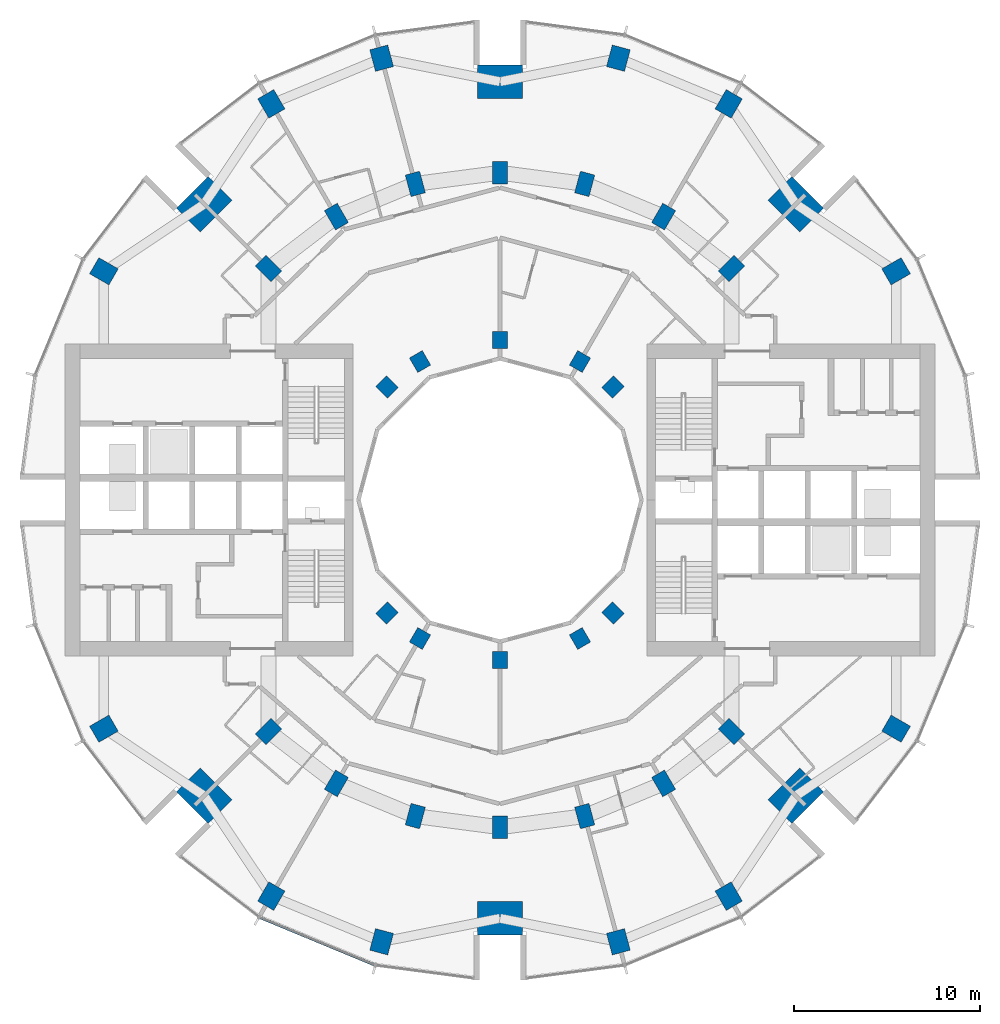
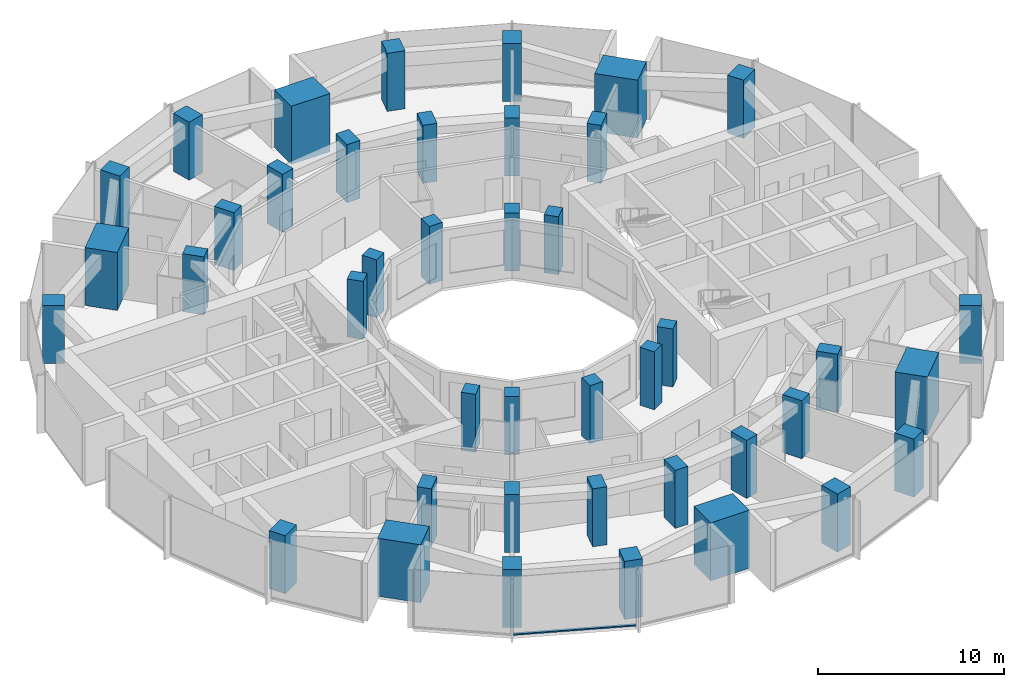
# One storey, part 1 of 15: 42 columns, 1 member, 1 element without a shape of its own.
"""IFC4 building model written with IfcOpenShell, lengths in metres."""

from ifc_helpers import new_model, si_unit, direction, frame, origin, origin_2d, place, context, subcontext, project, spatial, rectangle, extrude, material, layer, layer_set, material_profile, profile_set, type_object, element, aggregate, save


model = new_model("IFC4")

# Units and contexts
model_context = context("Model", 3, precision=1e-05, world=origin(), true_north=direction((0.0, 1.0)))
body_context = subcontext(model_context, "Body", "Model", "MODEL_VIEW")
ifc_project = project(units=[si_unit("LENGTHUNIT", "METRE"), si_unit("AREAUNIT", "SQUARE_METRE"), si_unit("VOLUMEUNIT", "CUBIC_METRE"), si_unit("PLANEANGLEUNIT", "RADIAN"), si_unit("MASSUNIT", "GRAM", prefix="KILO")], contexts=[model_context])

# Site, building, storey
site_placement = place(None, origin())
site = spatial("IfcSite", under=ifc_project, at=site_placement, CompositionType="ELEMENT")
building_placement = place(site_placement, origin())
building = spatial("IfcBuilding", under=site, at=building_placement, Name="Torre Brocal", CompositionType="ELEMENT")
storey_placement = place(building_placement, frame((0.0, 0.0, 93.800048828125)))
storey = spatial("IfcBuildingStorey", under=building, at=storey_placement, Name="L21", CompositionType="ELEMENT", Elevation=93.800048828125)

# Columns
ifc_material_1 = material(Name="Concrete C80", Category="concrete")
ifc_material_profile_1 = material_profile(ifc_material_1, rectangle(XDim=1.199951171875, YDim=1.0, at=origin_2d()), Name="RC 1200X1000")
ifc_profile_set_1 = profile_set([ifc_material_profile_1], Name="Concrete C80")
column_type_1 = type_object("IfcColumnType", Name="RC COLUMN 1200X1000 C80", PredefinedType="COLUMN", material=ifc_profile_set_1)
for number, where, z_axis, x_axis, name in (
    (1, (101.30419921875, 87.300048828125, 0.0), (0.0, 0.0, 1.0), (0.866025403784, 0.5, 0.0), "Column C-O02"),
    (2, (92.300048828125, 96.30419921875, 0.0), (0.0, 0.0, 1.0), (0.5, 0.866025403784, 0.0), "Column C-O04"),
    (3, (86.366943359375, 98.76171875, 0.0), (0.0, 0.0, 1.0), (0.258819045103, 0.965925826289, 0.0), "Column C-O05"),
    (4, (73.633056640625, 98.76171875, 0.0), (0.0, 0.0, 1.0), (-0.258819045103, 0.965925826289, 0.0), "Column C-O07"),
    (5, (67.699951171875, 96.30419921875, 0.0), (0.0, 0.0, 1.0), (-0.5, 0.866025403784, 0.0), "Column C-O08"),
    (6, (58.69580078125, 87.300048828125, 0.0), (0.0, 0.0, 1.0), (-0.866025403784, 0.5, 0.0), "Column C-O10"),
    (7, (58.69580078125, 62.699951171875, 0.0), (0.0, 0.0, 1.0), (-0.866025403784, -0.5, 0.0), "Column C-O14"),
    (8, (67.699951171875, 53.69580078125, 0.0), (0.0, 0.0, 1.0), (-0.5, -0.866025403784, 0.0), "Column C-O16"),
    (9, (73.633056640625, 51.23828125, 0.0), (0.0, 0.0, 1.0), (-0.258819045103, -0.965925826289, 0.0), "Column C-O17"),
    (10, (86.366943359375, 51.23828125, 0.0), (0.0, 0.0, 1.0), (0.258819045103, -0.965925826289, 0.0), "Column C-O19"),
    (11, (92.300048828125, 53.69580078125, 0.0), (0.0, 0.0, 1.0), (0.5, -0.866025403784, 0.0), "Column C-O20"),
    (12, (101.30419921875, 62.699951171875, 0.0), (0.0, 0.0, 1.0), (0.866025403784, -0.5, 0.0), "Column C-O22"),
):
    element("IfcColumn", number, at=place(storey_placement, frame(where, z_axis=z_axis, x_axis=x_axis)), inside=storey, type_object=column_type_1, Name=name, PredefinedType="COLUMN", context=body_context, shape_type="SweptSolid", body=[
        extrude(rectangle(XDim=1.199951171875, YDim=1.0, at=origin_2d()), origin(), (0.0, 0.0, 1.0), 3.800048828125),
    ])
ifc_material_2 = material(Name="Concrete C80", Category="concrete")
ifc_material_profile_2 = material_profile(ifc_material_2, rectangle(XDim=1.199951171875, YDim=0.800048828125, at=origin_2d()), Name="RC 1200X800")
ifc_profile_set_2 = profile_set([ifc_material_profile_2], Name="Concrete C80")
column_type_2 = type_object("IfcColumnType", Name="RC COLUMN 1200X800 C80", PredefinedType="COLUMN", material=ifc_profile_set_2)
for number, where, z_axis, x_axis, name in (
    (13, (92.445068359375, 87.445068359375, 0.0), (0.0, 0.0, 1.0), (0.707106781187, 0.707106781187, 0.0), "Column C-M03"),
    (14, (88.800048828125, 90.241943359375, 0.0), (0.0, 0.0, 1.0), (0.5, 0.866025403784, 0.0), "Column C-M04"),
    (15, (84.55517578125, 92.000244140625, 0.0), (0.0, 0.0, 1.0), (0.258819045103, 0.965925826289, 0.0), "Column C-M05"),
    (16, (80.0, 92.60009765625, 0.0), (0.0, 0.0, 1.0), (0.0, 1.0, 0.0), "Column C-M06"),
    (17, (75.44482421875, 92.000244140625, 0.0), (0.0, 0.0, 1.0), (-0.258819045103, 0.965925826289, 0.0), "Column C-M07"),
    (18, (71.199951171875, 90.241943359375, 0.0), (0.0, 0.0, 1.0), (-0.5, 0.866025403784, 0.0), "Column C-M08"),
    (19, (67.554931640625, 87.445068359375, 0.0), (0.0, 0.0, 1.0), (-0.707106781187, 0.707106781187, 0.0), "Column C-M09"),
    (20, (67.554931640625, 62.554931640625, 0.0), (0.0, 0.0, 1.0), (-0.707106781187, -0.707106781187, 0.0), "Column C-M15"),
    (21, (71.199951171875, 59.758056640625, 0.0), (0.0, 0.0, 1.0), (-0.5, -0.866025403784, 0.0), "Column C-M16"),
    (22, (75.44482421875, 57.999755859375, 0.0), (0.0, 0.0, 1.0), (-0.258819045103, -0.965925826289, 0.0), "Column C-M17"),
    (23, (80.0, 57.39990234375, 0.0), (0.0, 0.0, 1.0), (0.0, -1.0, 0.0), "Column C-M18"),
    (24, (84.55517578125, 57.999755859375, 0.0), (0.0, 0.0, 1.0), (0.258819045103, -0.965925826289, 0.0), "Column C-M19"),
    (25, (88.800048828125, 59.758056640625, 0.0), (0.0, 0.0, 1.0), (0.5, -0.866025403784, 0.0), "Column C-M20"),
    (26, (92.445068359375, 62.554931640625, 0.0), (0.0, 0.0, 1.0), (0.707106781187, -0.707106781187, 0.0), "Column C-M21"),
):
    element("IfcColumn", number, at=place(storey_placement, frame(where, z_axis=z_axis, x_axis=x_axis)), inside=storey, type_object=column_type_2, Name=name, PredefinedType="COLUMN", context=body_context, shape_type="SweptSolid", body=[
        extrude(rectangle(XDim=1.199951171875, YDim=0.800048828125, at=origin_2d()), origin(), (0.0, 0.0, 1.0), 3.800048828125),
    ])
ifc_material_3 = material(Name="Concrete C80", Category="concrete")
ifc_material_profile_3 = material_profile(ifc_material_3, rectangle(XDim=1.800048828125, YDim=2.39990234375, at=origin_2d()), Name="RC 1800X2400")
ifc_profile_set_3 = profile_set([ifc_material_profile_3], Name="Concrete C80")
column_type_3 = type_object("IfcColumnType", Name="RC COLUMN 1800X2400 C80", PredefinedType="COLUMN", material=ifc_profile_set_3)
for number, where, z_axis, x_axis, name in (
    (27, (95.909912109375, 90.909912109375, 0.0), (0.0, 0.0, 1.0), (0.707106781187, 0.707106781187, 0.0), "Column MC-1"),
    (28, (80.0, 97.5, 0.0), (0.0, 0.0, 1.0), (0.0, 1.0, 0.0), "Column MC-2"),
    (29, (64.090087890625, 90.909912109375, 0.0), (0.0, 0.0, 1.0), (-0.707106781187, 0.707106781187, 0.0), "Column MC-3"),
    (30, (64.090087890625, 59.090087890625, 0.0), (0.0, 0.0, 1.0), (-0.707106781187, -0.707106781187, 0.0), "Column MC-5"),
    (31, (80.0, 52.5, 0.0), (0.0, 0.0, 1.0), (0.0, -1.0, 0.0), "Column MC-6"),
    (32, (95.909912109375, 59.090087890625, 0.0), (0.0, 0.0, 1.0), (0.707106781187, -0.707106781187, 0.0), "Column MC-7"),
):
    element("IfcColumn", number, at=place(storey_placement, frame(where, z_axis=z_axis, x_axis=x_axis)), inside=storey, type_object=column_type_3, Name=name, PredefinedType="COLUMN", context=body_context, shape_type="SweptSolid", body=[
        extrude(rectangle(XDim=1.800048828125, YDim=2.39990234375, at=origin_2d()), origin(), (0.0, 0.0, 1.0), 3.800048828125),
    ])
ifc_material_4 = material(Name="Concrete C80", Category="concrete")
ifc_material_profile_4 = material_profile(ifc_material_4, rectangle(XDim=0.89990234375, YDim=0.800048828125, at=origin_2d()), Name="RC 900X800")
ifc_profile_set_4 = profile_set([ifc_material_profile_4], Name="Concrete C80")
column_type_4 = type_object("IfcColumnType", Name="RC COLUMN 900X800 C80", PredefinedType="COLUMN", material=ifc_profile_set_4)
for number, where, z_axis, x_axis, name in (
    (33, (86.0810546875, 81.0810546875, 0.0), (0.0, 0.0, 1.0), (0.707106781187, 0.707106781187, 0.0), "Column C-I03"),
    (34, (84.300048828125, 82.44775390625, 0.0), (0.0, 0.0, 1.0), (0.5, 0.866025403784, 0.0), "Column C-I04"),
    (35, (80.0, 83.60009765625, 0.0), (0.0, 0.0, 1.0), (0.0, 1.0, 0.0), "Column C-I06"),
    (36, (75.699951171875, 82.44775390625, 0.0), (0.0, 0.0, 1.0), (-0.5, 0.866025403784, 0.0), "Column C-I08"),
    (37, (73.9189453125, 81.0810546875, 0.0), (0.0, 0.0, 1.0), (-0.707106781187, 0.707106781187, 0.0), "Column C-I09"),
    (38, (73.9189453125, 68.9189453125, 0.0), (0.0, 0.0, 1.0), (-0.707106781187, -0.707106781187, 0.0), "Column C-I15"),
    (39, (75.699951171875, 67.55224609375, 0.0), (0.0, 0.0, 1.0), (-0.5, -0.866025403784, 0.0), "Column C-I16"),
    (40, (80.0, 66.39990234375, 0.0), (0.0, 0.0, 1.0), (0.0, -1.0, 0.0), "Column C-I18"),
    (41, (84.300048828125, 67.55224609375, 0.0), (0.0, 0.0, 1.0), (0.5, -0.866025403784, 0.0), "Column C-I20"),
    (42, (86.0810546875, 68.9189453125, 0.0), (0.0, 0.0, 1.0), (0.707106781187, -0.707106781187, 0.0), "Column C-I21"),
):
    element("IfcColumn", number, at=place(storey_placement, frame(where, z_axis=z_axis, x_axis=x_axis)), inside=storey, type_object=column_type_4, Name=name, PredefinedType="COLUMN", context=body_context, shape_type="SweptSolid", body=[
        extrude(rectangle(XDim=0.89990234375, YDim=0.800048828125, at=origin_2d()), origin(), (0.0, 0.0, 1.0), 3.800048828125),
    ])

# Curtain wall, member
ifc_material_5 = material(Name="Aluminium and glass", Category="aluminium")
ifc_layer = layer(ifc_material_5, 0.199951171875)
ifc_layer_set = layer_set([ifc_layer], Name="Aluminium and glass")
curtain_wall_type = type_object("IfcCurtainWallType", Name="CW-1 CURTAIN WALL 3800 HIGH", PredefinedType="NOTDEFINED", material=ifc_layer_set)
curtain_wall_placement = place(storey_placement, origin())
curtain_wall = element("IfcCurtainWall", 43, at=curtain_wall_placement, inside=storey, type_object=curtain_wall_type, Name="CW-1 RUN 17", PredefinedType="NOTDEFINED")
ifc_material_6 = material(Name="Aluminium, dark anodised", Category="aluminium")
ifc_material_profile_5 = material_profile(ifc_material_6, rectangle(XDim=0.159912109375, YDim=0.080078125, at=origin_2d()), Name="CW-1 TRANSOM 160X80")
ifc_profile_set_5 = profile_set([ifc_material_profile_5], Name="Aluminium, dark anodised")
member_type = type_object("IfcMemberType", Name="CW-1 TRANSOM 160X80", PredefinedType="USERDEFINED", material=ifc_profile_set_5)
member_placement = place(storey_placement, frame((67.10595703125, 52.547607421875, 0.0400390625), z_axis=(0.923887344364, -0.38266457234, 0.0), x_axis=(0.38266457234, 0.923887344364, 0.0)))
member = element("IfcMember", 44, at=member_placement, type_object=member_type, Name="CW1-1 transom 1.1", ObjectType="TRANSOM", PredefinedType="USERDEFINED", context=body_context, shape_type="SweptSolid", body=[
    extrude(rectangle(XDim=0.159912109375, YDim=0.080078125, at=origin_2d()), origin(), (0.0, 0.0, 1.0), 6.640869140625),
])
aggregate(curtain_wall, [member])

save(model, "model.ifc")
